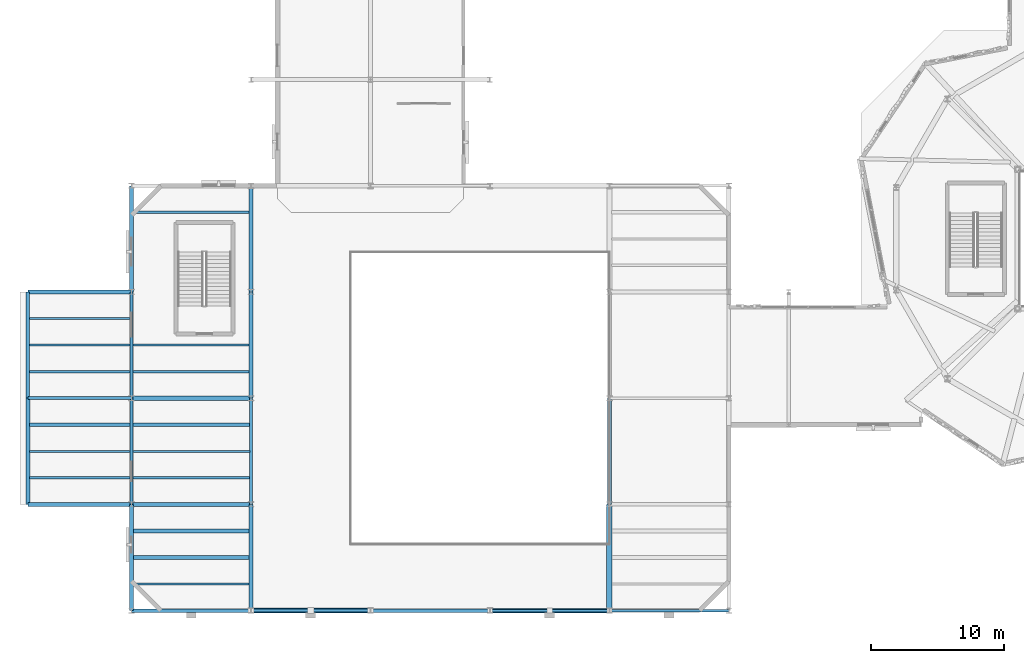
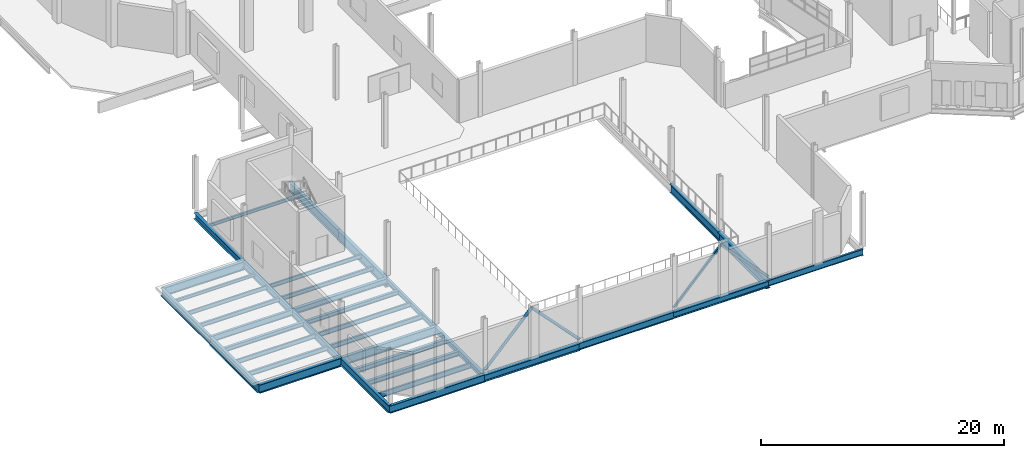
# One storey, part 14 of 142: 37 beams, 4 members.
"""IFC4 building model written with IfcOpenShell, lengths in metres."""

from ifc_helpers import new_model, si_unit, direction, frame, origin, origin_2d, place, context, subcontext, project, spatial, hollow_rectangle, hollow_circle, i_section, extrude, material, material_profile, profile_set, type_object, element, save


model = new_model("IFC4")

# Units and contexts
model_context = context("Model", 3, precision=1e-05, world=origin(), true_north=direction((0.0, 1.0)))
body_context = subcontext(model_context, "Body", "Model", "MODEL_VIEW")
ifc_project = project(units=[si_unit("LENGTHUNIT", "METRE"), si_unit("AREAUNIT", "SQUARE_METRE"), si_unit("VOLUMEUNIT", "CUBIC_METRE"), si_unit("PLANEANGLEUNIT", "RADIAN"), si_unit("MASSUNIT", "GRAM", prefix="KILO"), si_unit("THERMODYNAMICTEMPERATUREUNIT", "KELVIN"), si_unit("POWERUNIT", "WATT")], contexts=[model_context])

# Site, building, storey
site_placement = place(None, origin())
site = spatial("IfcSite", under=ifc_project, at=site_placement, CompositionType="ELEMENT")
building_placement = place(site_placement, origin())
building = spatial("IfcBuilding", under=site, at=building_placement, Name="Zelmaris Science Centre", CompositionType="ELEMENT")
storey_placement = place(building_placement, frame((0.0, 0.0, 5.39990234375)))
storey = spatial("IfcBuildingStorey", under=building, at=storey_placement, Name="L01", CompositionType="ELEMENT", Elevation=5.39990234375)

# Beams
ifc_material_1 = material(Name="Steel ASTM A992 Grade 50", Category="steel")
ifc_material_profile_1 = material_profile(ifc_material_1, i_section(OverallWidth=0.294921875, OverallDepth=0.85107421875, WebThickness=0.01611328125, FlangeThickness=0.02685546875, FilletRadius=0.02001953125, at=origin_2d()), Name="W33X152")
ifc_profile_set_1 = profile_set([ifc_material_profile_1], Name="Steel ASTM A992 Grade 50")
beam_type_1 = type_object("IfcBeamType", Name="Beam G-06 W33X152", PredefinedType="BEAM", material=ifc_profile_set_1)
beam_1_placement = place(storey_placement, frame((1.199951171875, 16.0, -0.705322265625), z_axis=(1.0, 0.0, 0.0), x_axis=(0.0, 1.0, 0.0)))
element("IfcBeam", 1, at=beam_1_placement, inside=storey, type_object=beam_type_1, Name="L01 East-west girder 343", PredefinedType="BEAM", context=body_context, shape_type="SweptSolid", body=[
    extrude(i_section(OverallWidth=0.294921875, OverallDepth=0.85107421875, WebThickness=0.01611328125, FlangeThickness=0.02685546875, FilletRadius=0.02001953125, at=origin_2d()), origin(), (0.0, 0.0, 1.0), 7.800048828125),
])
ifc_material_profile_2 = material_profile(ifc_material_1, i_section(OverallWidth=0.2919921875, OverallDepth=0.841064453125, WebThickness=0.0146484375, FlangeThickness=0.021728515625, FilletRadius=0.02001953125, at=origin_2d()), Name="W33X130")
ifc_profile_set_2 = profile_set([ifc_material_profile_2], Name="Steel ASTM A992 Grade 50")
beam_type_2 = type_object("IfcBeamType", Name="Beam G-07 W33X130", PredefinedType="BEAM", material=ifc_profile_set_2)
beam_2_placement = place(storey_placement, frame((1.199951171875, 16.0, -0.700439453125), z_axis=(0.0, 1.0, 0.0), x_axis=(-1.0, 0.0, 0.0)))
element("IfcBeam", 2, at=beam_2_placement, inside=storey, type_object=beam_type_2, Name="L01 North-south girder 251", PredefinedType="BEAM", context=body_context, shape_type="SweptSolid", body=[
    extrude(i_section(OverallWidth=0.2919921875, OverallDepth=0.841064453125, WebThickness=0.0146484375, FlangeThickness=0.021728515625, FilletRadius=0.02001953125, at=origin_2d()), origin(), (0.0, 0.0, 1.0), 8.0),
])
beam_3_placement = place(storey_placement, frame((9.0, 16.0, -0.700439453125), z_axis=(1.0, 0.0, 0.0), x_axis=(0.0, 1.0, 0.0)))
element("IfcBeam", 3, at=beam_3_placement, inside=storey, type_object=beam_type_2, Name="L01 East-west girder 344", PredefinedType="BEAM", context=body_context, shape_type="SweptSolid", body=[
    extrude(i_section(OverallWidth=0.2919921875, OverallDepth=0.841064453125, WebThickness=0.0146484375, FlangeThickness=0.021728515625, FilletRadius=0.02001953125, at=origin_2d()), origin(), (0.0, 0.0, 1.0), 9.0),
])
ifc_material_profile_3 = material_profile(ifc_material_1, i_section(OverallWidth=0.26708984375, OverallDepth=0.77001953125, WebThickness=0.015625, FlangeThickness=0.025390625, FilletRadius=0.01904296875, at=origin_2d()), Name="W30X132")
ifc_profile_set_3 = profile_set([ifc_material_profile_3], Name="Steel ASTM A992 Grade 50")
beam_type_3 = type_object("IfcBeamType", Name="Beam G-09 W30X132", PredefinedType="BEAM", material=ifc_profile_set_3)
beam_4_placement = place(storey_placement, frame((1.199951171875, 24.0, -0.664794921875), z_axis=(0.0, 1.0, 0.0), x_axis=(-1.0, 0.0, 0.0)))
element("IfcBeam", 4, at=beam_4_placement, inside=storey, type_object=beam_type_3, Name="L01 North-south girder 252", PredefinedType="BEAM", context=body_context, shape_type="SweptSolid", body=[
    extrude(i_section(OverallWidth=0.26708984375, OverallDepth=0.77001953125, WebThickness=0.015625, FlangeThickness=0.025390625, FilletRadius=0.01904296875, at=origin_2d()), origin(), (0.0, 0.0, 1.0), 8.0),
])
ifc_material_profile_4 = material_profile(ifc_material_1, i_section(OverallWidth=0.26708984375, OverallDepth=0.757080078125, WebThickness=0.013916015625, FlangeThickness=0.019287109375, FilletRadius=0.01904296875, at=origin_2d()), Name="W30X108")
ifc_profile_set_4 = profile_set([ifc_material_profile_4], Name="Steel ASTM A992 Grade 50")
beam_type_4 = type_object("IfcBeamType", Name="Beam G-10 W30X108", PredefinedType="BEAM", material=ifc_profile_set_4)
beam_5_placement = place(storey_placement, frame((9.0, 8.0, -0.658447265625), z_axis=(0.0, 1.0, 0.0), x_axis=(-1.0, 0.0, 0.0)))
element("IfcBeam", 5, at=beam_5_placement, inside=storey, type_object=beam_type_4, Name="L01 North-south girder 253", PredefinedType="BEAM", context=body_context, shape_type="SweptSolid", body=[
    extrude(i_section(OverallWidth=0.26708984375, OverallDepth=0.757080078125, WebThickness=0.013916015625, FlangeThickness=0.019287109375, FilletRadius=0.01904296875, at=origin_2d()), origin(), (0.0, 0.0, 1.0), 8.0),
])
ifc_material_profile_5 = material_profile(ifc_material_1, i_section(OverallWidth=0.257080078125, OverallDepth=0.693115234375, WebThickness=0.014404296875, FlangeThickness=0.023681640625, FilletRadius=0.01806640625, at=origin_2d()), Name="W27X114")
ifc_profile_set_5 = profile_set([ifc_material_profile_5], Name="Steel ASTM A992 Grade 50")
beam_type_5 = type_object("IfcBeamType", Name="Beam G-12 W27X114", PredefinedType="BEAM", material=ifc_profile_set_5)
beam_6_placement = place(storey_placement, frame((9.0, 16.0, -0.62646484375), z_axis=(0.0, 1.0, 0.0), x_axis=(-1.0, 0.0, 0.0)))
element("IfcBeam", 6, at=beam_6_placement, inside=storey, type_object=beam_type_5, Name="L01 North-south girder 254", PredefinedType="BEAM", context=body_context, shape_type="SweptSolid", body=[
    extrude(i_section(OverallWidth=0.257080078125, OverallDepth=0.693115234375, WebThickness=0.014404296875, FlangeThickness=0.023681640625, FilletRadius=0.01806640625, at=origin_2d()), origin(), (0.0, 0.0, 1.0), 8.0),
])
ifc_material_profile_6 = material_profile(ifc_material_1, i_section(OverallWidth=0.25390625, OverallDepth=0.68310546875, WebThickness=0.012451171875, FlangeThickness=0.018798828125, FilletRadius=0.01806640625, at=origin_2d()), Name="W27X94")
ifc_profile_set_6 = profile_set([ifc_material_profile_6], Name="Steel ASTM A992 Grade 50")
beam_type_6 = type_object("IfcBeamType", Name="Beam G-13 W27X94", PredefinedType="BEAM", material=ifc_profile_set_6)
beam_7_placement = place(storey_placement, frame((9.0, 24.0, -0.621337890625), z_axis=(0.0, 1.0, 0.0), x_axis=(-1.0, 0.0, 0.0)))
element("IfcBeam", 7, at=beam_7_placement, inside=storey, type_object=beam_type_6, Name="L01 North-south girder 255", PredefinedType="BEAM", context=body_context, shape_type="SweptSolid", body=[
    extrude(i_section(OverallWidth=0.25390625, OverallDepth=0.68310546875, WebThickness=0.012451171875, FlangeThickness=0.018798828125, FilletRadius=0.01806640625, at=origin_2d()), origin(), (0.0, 0.0, 1.0), 8.0),
])
ifc_material_profile_7 = material_profile(ifc_material_1, i_section(OverallWidth=0.324951171875, OverallDepth=0.612060546875, WebThickness=0.0126953125, FlangeThickness=0.01904296875, FilletRadius=0.014892578125, at=origin_2d()), Name="W24X104")
ifc_profile_set_7 = profile_set([ifc_material_profile_7], Name="Steel ASTM A992 Grade 50")
beam_type_7 = type_object("IfcBeamType", Name="Beam G-15 W24X104", PredefinedType="BEAM", material=ifc_profile_set_7)
beam_8_placement = place(storey_placement, frame((9.0, 32.0, -0.5859375), z_axis=(0.0, 1.0, 0.0), x_axis=(-1.0, 0.0, 0.0)))
element("IfcBeam", 8, at=beam_8_placement, inside=storey, type_object=beam_type_7, Name="L01 North-south girder 256", PredefinedType="BEAM", context=body_context, shape_type="SweptSolid", body=[
    extrude(i_section(OverallWidth=0.324951171875, OverallDepth=0.612060546875, WebThickness=0.0126953125, FlangeThickness=0.01904296875, FilletRadius=0.014892578125, at=origin_2d()), origin(), (0.0, 0.0, 1.0), 8.0),
])
ifc_material_profile_8 = material_profile(ifc_material_1, i_section(OverallWidth=0.22900390625, OverallDepth=0.60205078125, WebThickness=0.010498046875, FlangeThickness=0.014892578125, FilletRadius=0.014892578125, at=origin_2d()), Name="W24X68")
ifc_profile_set_8 = profile_set([ifc_material_profile_8], Name="Steel ASTM A992 Grade 50")
beam_type_8 = type_object("IfcBeamType", Name="Beam G-17 W24X68", PredefinedType="BEAM", material=ifc_profile_set_8)
beam_9_placement = place(storey_placement, frame((1.199951171875, 24.0, -0.580810546875), z_axis=(1.0, 0.0, 0.0), x_axis=(0.0, 1.0, 0.0)))
element("IfcBeam", 9, at=beam_9_placement, inside=storey, type_object=beam_type_8, Name="L01 East-west girder 351", PredefinedType="BEAM", context=body_context, shape_type="SweptSolid", body=[
    extrude(i_section(OverallWidth=0.22900390625, OverallDepth=0.60205078125, WebThickness=0.010498046875, FlangeThickness=0.014892578125, FilletRadius=0.014892578125, at=origin_2d()), origin(), (0.0, 0.0, 1.0), 7.800048828125),
])
ifc_material_profile_9 = material_profile(ifc_material_1, i_section(OverallWidth=0.31201171875, OverallDepth=0.5439453125, WebThickness=0.0126953125, FlangeThickness=0.020263671875, FilletRadius=0.013916015625, at=origin_2d()), Name="W21X101")
ifc_profile_set_9 = profile_set([ifc_material_profile_9], Name="Steel ASTM A992 Grade 50")
beam_type_9 = type_object("IfcBeamType", Name="Beam G-18 W21X101", PredefinedType="BEAM", material=ifc_profile_set_9)
beam_10_placement = place(storey_placement, frame((18.0, 8.0, -0.552001953125), z_axis=(0.0, 1.0, 0.0), x_axis=(-1.0, 0.0, 0.0)))
element("IfcBeam", 10, at=beam_10_placement, inside=storey, type_object=beam_type_9, Name="L01 North-south girder 259", PredefinedType="BEAM", context=body_context, shape_type="SweptSolid", body=[
    extrude(i_section(OverallWidth=0.31201171875, OverallDepth=0.5439453125, WebThickness=0.0126953125, FlangeThickness=0.020263671875, FilletRadius=0.013916015625, at=origin_2d()), origin(), (0.0, 0.0, 1.0), 8.0),
])
beam_11_placement = place(storey_placement, frame((9.0, 24.0, -0.552001953125), z_axis=(1.0, 0.0, 0.0), x_axis=(0.0, 1.0, 0.0)))
element("IfcBeam", 11, at=beam_11_placement, inside=storey, type_object=beam_type_9, Name="L01 East-west girder 352", PredefinedType="BEAM", context=body_context, shape_type="SweptSolid", body=[
    extrude(i_section(OverallWidth=0.31201171875, OverallDepth=0.5439453125, WebThickness=0.0126953125, FlangeThickness=0.020263671875, FilletRadius=0.013916015625, at=origin_2d()), origin(), (0.0, 0.0, 1.0), 9.0),
])
ifc_material_profile_10 = material_profile(ifc_material_1, i_section(OverallWidth=0.2109375, OverallDepth=0.5380859375, WebThickness=0.01171875, FlangeThickness=0.018798828125, FilletRadius=0.013916015625, at=origin_2d()), Name="W21X73")
ifc_profile_set_10 = profile_set([ifc_material_profile_10], Name="Steel ASTM A992 Grade 50")
beam_type_10 = type_object("IfcBeamType", Name="Beam G-19 W21X73", PredefinedType="BEAM", material=ifc_profile_set_10)
beam_12_placement = place(storey_placement, frame((18.0, 16.0, -0.548828125), z_axis=(0.0, 1.0, 0.0), x_axis=(-1.0, 0.0, 0.0)))
element("IfcBeam", 12, at=beam_12_placement, inside=storey, type_object=beam_type_10, Name="L01 North-south girder 260", PredefinedType="BEAM", context=body_context, shape_type="SweptSolid", body=[
    extrude(i_section(OverallWidth=0.2109375, OverallDepth=0.5380859375, WebThickness=0.01171875, FlangeThickness=0.018798828125, FilletRadius=0.013916015625, at=origin_2d()), origin(), (0.0, 0.0, 1.0), 8.0),
])
ifc_material_profile_11 = material_profile(ifc_material_1, i_section(OverallWidth=0.300048828125, OverallDepth=0.990966796875, WebThickness=0.0166015625, FlangeThickness=0.030517578125, FilletRadius=0.02490234375, at=origin_2d()), Name="W40X183")
ifc_profile_set_11 = profile_set([ifc_material_profile_11], Name="Steel ASTM A992 Grade 50")
beam_type_11 = type_object("IfcBeamType", Name="Beam G-24 W40X183", PredefinedType="BEAM", material=ifc_profile_set_11)
beam_13_placement = place(storey_placement, frame((18.0, 24.0, -0.775390625), z_axis=(0.0, 1.0, 0.0), x_axis=(-1.0, 0.0, 0.0)))
element("IfcBeam", 13, at=beam_13_placement, inside=storey, type_object=beam_type_11, Name="L01 North-south girder 261", PredefinedType="BEAM", context=body_context, shape_type="SweptSolid", body=[
    extrude(i_section(OverallWidth=0.300048828125, OverallDepth=0.990966796875, WebThickness=0.0166015625, FlangeThickness=0.030517578125, FilletRadius=0.02490234375, at=origin_2d()), origin(), (0.0, 0.0, 1.0), 8.0),
])
ifc_material_profile_12 = material_profile(ifc_material_1, i_section(OverallWidth=0.31005859375, OverallDepth=0.931884765625, WebThickness=0.02099609375, FlangeThickness=0.034423828125, FilletRadius=0.02392578125, at=origin_2d()), Name="W36X210")
ifc_profile_set_12 = profile_set([ifc_material_profile_12], Name="Steel ASTM A992 Grade 50")
beam_type_12 = type_object("IfcBeamType", Name="Beam G-25 W36X210", PredefinedType="BEAM", material=ifc_profile_set_12)
beam_14_placement = place(storey_placement, frame((18.0, 32.0, -0.745849609375), z_axis=(0.0, 1.0, 0.0), x_axis=(-1.0, 0.0, 0.0)))
element("IfcBeam", 14, at=beam_14_placement, inside=storey, type_object=beam_type_12, Name="L01 North-south girder 262", PredefinedType="BEAM", context=body_context, shape_type="SweptSolid", body=[
    extrude(i_section(OverallWidth=0.31005859375, OverallDepth=0.931884765625, WebThickness=0.02099609375, FlangeThickness=0.034423828125, FilletRadius=0.02392578125, at=origin_2d()), origin(), (0.0, 0.0, 1.0), 8.0),
])
ifc_material_profile_13 = material_profile(ifc_material_1, i_section(OverallWidth=0.404052734375, OverallDepth=0.861083984375, WebThickness=0.019775390625, FlangeThickness=0.032470703125, FilletRadius=0.02001953125, at=origin_2d()), Name="W33X221")
ifc_profile_set_13 = profile_set([ifc_material_profile_13], Name="Steel ASTM A992 Grade 50")
beam_type_13 = type_object("IfcBeamType", Name="Beam G-28 W33X221", PredefinedType="BEAM", material=ifc_profile_set_13)
beam_15_placement = place(storey_placement, frame((45.0, 8.0, -0.71044921875), z_axis=(0.0, 1.0, 0.0), x_axis=(-1.0, 0.0, 0.0)))
element("IfcBeam", 15, at=beam_15_placement, inside=storey, type_object=beam_type_13, Name="L01 North-south girder 265", PredefinedType="BEAM", context=body_context, shape_type="SweptSolid", body=[
    extrude(i_section(OverallWidth=0.404052734375, OverallDepth=0.861083984375, WebThickness=0.019775390625, FlangeThickness=0.032470703125, FilletRadius=0.02001953125, at=origin_2d()), origin(), (0.0, 0.0, 1.0), 8.0),
])
ifc_material_profile_14 = material_profile(ifc_material_1, i_section(OverallWidth=0.2919921875, OverallDepth=0.85888671875, WebThickness=0.01708984375, FlangeThickness=0.031005859375, FilletRadius=0.02001953125, at=origin_2d()), Name="W33X169")
ifc_profile_set_14 = profile_set([ifc_material_profile_14], Name="Steel ASTM A992 Grade 50")
beam_type_14 = type_object("IfcBeamType", Name="Beam G-29 W33X169", PredefinedType="BEAM", material=ifc_profile_set_14)
beam_16_placement = place(storey_placement, frame((45.0, 16.0, -0.70947265625), z_axis=(0.0, 1.0, 0.0), x_axis=(-1.0, 0.0, 0.0)))
element("IfcBeam", 16, at=beam_16_placement, inside=storey, type_object=beam_type_14, Name="L01 North-south girder 266", PredefinedType="BEAM", context=body_context, shape_type="SweptSolid", body=[
    extrude(i_section(OverallWidth=0.2919921875, OverallDepth=0.85888671875, WebThickness=0.01708984375, FlangeThickness=0.031005859375, FilletRadius=0.02001953125, at=origin_2d()), origin(), (0.0, 0.0, 1.0), 8.0),
])
beam_17_placement = place(storey_placement, frame((1.199951171875, 32.0, -0.70947265625), z_axis=(1.0, 0.0, 0.0), x_axis=(0.0, 1.0, 0.0)))
element("IfcBeam", 17, at=beam_17_placement, inside=storey, type_object=beam_type_14, Name="L01 East-west girder 359", PredefinedType="BEAM", context=body_context, shape_type="SweptSolid", body=[
    extrude(i_section(OverallWidth=0.2919921875, OverallDepth=0.85888671875, WebThickness=0.01708984375, FlangeThickness=0.031005859375, FilletRadius=0.02001953125, at=origin_2d()), origin(), (0.0, 0.0, 1.0), 7.800048828125),
])
ifc_material_profile_15 = material_profile(ifc_material_1, i_section(OverallWidth=0.26708984375, OverallDepth=0.75390625, WebThickness=0.01318359375, FlangeThickness=0.01708984375, FilletRadius=0.01904296875, at=origin_2d()), Name="W30X99")
ifc_profile_set_15 = profile_set([ifc_material_profile_15], Name="Steel ASTM A992 Grade 50")
beam_type_15 = type_object("IfcBeamType", Name="Beam G-34 W30X99", PredefinedType="BEAM", material=ifc_profile_set_15)
beam_18_placement = place(storey_placement, frame((9.0, 8.0, -0.656982421875), z_axis=(1.0, 0.0, 0.0), x_axis=(0.0, 1.0, 0.0)))
element("IfcBeam", 18, at=beam_18_placement, inside=storey, type_object=beam_type_15, Name="L01 East-west girder 333", PredefinedType="BEAM", context=body_context, shape_type="SweptSolid", body=[
    extrude(i_section(OverallWidth=0.26708984375, OverallDepth=0.75390625, WebThickness=0.01318359375, FlangeThickness=0.01708984375, FilletRadius=0.01904296875, at=origin_2d()), origin(), (0.0, 0.0, 1.0), 9.0),
])
ifc_material_profile_16 = material_profile(ifc_material_1, i_section(OverallWidth=0.35595703125, OverallDepth=0.700927734375, WebThickness=0.016845703125, FlangeThickness=0.02734375, FilletRadius=0.01806640625, at=origin_2d()), Name="W27X161")
ifc_profile_set_16 = profile_set([ifc_material_profile_16], Name="Steel ASTM A992 Grade 50")
beam_type_16 = type_object("IfcBeamType", Name="Beam G-35 W27X161", PredefinedType="BEAM", material=ifc_profile_set_16)
beam_19_placement = place(storey_placement, frame((18.0, 8.0, -0.63037109375), z_axis=(1.0, 0.0, 0.0), x_axis=(0.0, 1.0, 0.0)))
element("IfcBeam", 19, at=beam_19_placement, inside=storey, type_object=beam_type_16, Name="L01 East-west girder 334", PredefinedType="BEAM", context=body_context, shape_type="SweptSolid", body=[
    extrude(i_section(OverallWidth=0.35595703125, OverallDepth=0.700927734375, WebThickness=0.016845703125, FlangeThickness=0.02734375, FilletRadius=0.01806640625, at=origin_2d()), origin(), (0.0, 0.0, 1.0), 9.0),
])
ifc_material_profile_17 = material_profile(ifc_material_1, i_section(OverallWidth=0.25390625, OverallDepth=0.677978515625, WebThickness=0.01171875, FlangeThickness=0.016357421875, FilletRadius=0.01806640625, at=origin_2d()), Name="W27X84")
ifc_profile_set_17 = profile_set([ifc_material_profile_17], Name="Steel ASTM A992 Grade 50")
beam_type_17 = type_object("IfcBeamType", Name="Beam G-36 W27X84", PredefinedType="BEAM", material=ifc_profile_set_17)
beam_20_placement = place(storey_placement, frame((27.0, 8.0, -0.618896484375), z_axis=(1.0, 0.0, 0.0), x_axis=(0.0, 1.0, 0.0)))
element("IfcBeam", 20, at=beam_20_placement, inside=storey, type_object=beam_type_17, Name="L01 East-west girder 335", PredefinedType="BEAM", context=body_context, shape_type="SweptSolid", body=[
    extrude(i_section(OverallWidth=0.25390625, OverallDepth=0.677978515625, WebThickness=0.01171875, FlangeThickness=0.016357421875, FilletRadius=0.01806640625, at=origin_2d()), origin(), (0.0, 0.0, 1.0), 9.0),
])
ifc_material_profile_18 = material_profile(ifc_material_1, i_section(OverallWidth=0.327880859375, OverallDepth=0.626953125, WebThickness=0.0166015625, FlangeThickness=0.027587890625, FilletRadius=0.014892578125, at=origin_2d()), Name="W24X146")
ifc_profile_set_18 = profile_set([ifc_material_profile_18], Name="Steel ASTM A992 Grade 50")
beam_type_18 = type_object("IfcBeamType", Name="Beam G-37 W24X146", PredefinedType="BEAM", material=ifc_profile_set_18)
beam_21_placement = place(storey_placement, frame((36.0, 8.0, -0.593505859375), z_axis=(1.0, 0.0, 0.0), x_axis=(0.0, 1.0, 0.0)))
element("IfcBeam", 21, at=beam_21_placement, inside=storey, type_object=beam_type_18, Name="L01 East-west girder 336", PredefinedType="BEAM", context=body_context, shape_type="SweptSolid", body=[
    extrude(i_section(OverallWidth=0.327880859375, OverallDepth=0.626953125, WebThickness=0.0166015625, FlangeThickness=0.027587890625, FilletRadius=0.014892578125, at=origin_2d()), origin(), (0.0, 0.0, 1.0), 9.0),
])
ifc_material_profile_19 = material_profile(ifc_material_1, i_section(OverallWidth=0.177978515625, OverallDepth=0.59912109375, WebThickness=0.010009765625, FlangeThickness=0.0126953125, FilletRadius=0.014892578125, at=origin_2d()), Name="W24X55")
ifc_profile_set_19 = profile_set([ifc_material_profile_19], Name="Steel ASTM A992 Grade 50")
beam_type_19 = type_object("IfcBeamType", Name="Beam G-38 W24X55", PredefinedType="BEAM", material=ifc_profile_set_19)
beam_22_placement = place(storey_placement, frame((45.0, 8.0, -0.579345703125), z_axis=(1.0, 0.0, 0.0), x_axis=(0.0, 1.0, 0.0)))
element("IfcBeam", 22, at=beam_22_placement, inside=storey, type_object=beam_type_19, Name="L01 East-west girder 337", PredefinedType="BEAM", context=body_context, shape_type="SweptSolid", body=[
    extrude(i_section(OverallWidth=0.177978515625, OverallDepth=0.59912109375, WebThickness=0.010009765625, FlangeThickness=0.0126953125, FilletRadius=0.014892578125, at=origin_2d()), origin(), (0.0, 0.0, 1.0), 9.0),
])
ifc_material_profile_20 = material_profile(ifc_material_1, i_section(OverallWidth=0.16796875, OverallDepth=0.532958984375, WebThickness=0.01025390625, FlangeThickness=0.0166015625, FilletRadius=0.013916015625, at=origin_2d()), Name="W21X57")
ifc_profile_set_20 = profile_set([ifc_material_profile_20], Name="Steel ASTM A992 Grade 50")
beam_type_20 = type_object("IfcBeamType", Name="Beam J-01 W21X57", PredefinedType="JOIST", material=ifc_profile_set_20)
beam_23_placement = place(storey_placement, frame((9.118408203125, 10.0, -0.54638671875), z_axis=(1.0, 0.0, 0.0), x_axis=(0.0, 1.0, 0.0)))
element("IfcBeam", 23, at=beam_23_placement, inside=storey, type_object=beam_type_20, Name="L01 Composite floor joist 126", PredefinedType="JOIST", context=body_context, shape_type="SweptSolid", body=[
    extrude(i_section(OverallWidth=0.16796875, OverallDepth=0.532958984375, WebThickness=0.01025390625, FlangeThickness=0.0166015625, FilletRadius=0.013916015625, at=origin_2d()), origin(), (0.0, 0.0, 1.0), 8.740478515625),
])
ifc_material_profile_21 = material_profile(ifc_material_1, i_section(OverallWidth=0.281982421875, OverallDepth=0.471923828125, WebThickness=0.013671875, FlangeThickness=0.022216796875, FilletRadius=0.012939453125, at=origin_2d()), Name="W18X97")
ifc_profile_set_21 = profile_set([ifc_material_profile_21], Name="Steel ASTM A992 Grade 50")
beam_type_21 = type_object("IfcBeamType", Name="Beam J-02 W18X97", PredefinedType="JOIST", material=ifc_profile_set_21)
beam_24_placement = place(storey_placement, frame((9.118408203125, 12.0, -0.515869140625), z_axis=(1.0, 0.0, 0.0), x_axis=(0.0, 1.0, 0.0)))
element("IfcBeam", 24, at=beam_24_placement, inside=storey, type_object=beam_type_21, Name="L01 Composite floor joist 127", PredefinedType="JOIST", context=body_context, shape_type="SweptSolid", body=[
    extrude(i_section(OverallWidth=0.281982421875, OverallDepth=0.471923828125, WebThickness=0.013671875, FlangeThickness=0.022216796875, FilletRadius=0.012939453125, at=origin_2d()), origin(), (0.0, 0.0, 1.0), 8.740478515625),
])
ifc_material_profile_22 = material_profile(ifc_material_1, i_section(OverallWidth=0.279052734375, OverallDepth=0.4619140625, WebThickness=0.0107421875, FlangeThickness=0.017333984375, FilletRadius=0.012939453125, at=origin_2d()), Name="W18X76")
ifc_profile_set_22 = profile_set([ifc_material_profile_22], Name="Steel ASTM A992 Grade 50")
beam_type_22 = type_object("IfcBeamType", Name="Beam J-03 W18X76", PredefinedType="JOIST", material=ifc_profile_set_22)
beam_25_placement = place(storey_placement, frame((9.118408203125, 14.0, -0.510986328125), z_axis=(1.0, 0.0, 0.0), x_axis=(0.0, 1.0, 0.0)))
element("IfcBeam", 25, at=beam_25_placement, inside=storey, type_object=beam_type_22, Name="L01 Composite floor joist 128", PredefinedType="JOIST", context=body_context, shape_type="SweptSolid", body=[
    extrude(i_section(OverallWidth=0.279052734375, OverallDepth=0.4619140625, WebThickness=0.0107421875, FlangeThickness=0.017333984375, FilletRadius=0.012939453125, at=origin_2d()), origin(), (0.0, 0.0, 1.0), 8.740478515625),
])
ifc_material_profile_23 = material_profile(ifc_material_1, i_section(OverallWidth=0.19091796875, OverallDepth=0.4599609375, WebThickness=0.010009765625, FlangeThickness=0.01611328125, FilletRadius=0.012939453125, at=origin_2d()), Name="W18X55")
ifc_profile_set_23 = profile_set([ifc_material_profile_23], Name="Steel ASTM A992 Grade 50")
beam_type_23 = type_object("IfcBeamType", Name="Beam J-04 W18X55", PredefinedType="JOIST", material=ifc_profile_set_23)
beam_26_placement = place(storey_placement, frame((1.3310546875, 18.0, -0.510009765625), z_axis=(1.0, 0.0, 0.0), x_axis=(0.0, 1.0, 0.0)))
element("IfcBeam", 26, at=beam_26_placement, inside=storey, type_object=beam_type_23, Name="L01 Composite floor joist 120", PredefinedType="JOIST", context=body_context, shape_type="SweptSolid", body=[
    extrude(i_section(OverallWidth=0.19091796875, OverallDepth=0.4599609375, WebThickness=0.010009765625, FlangeThickness=0.01611328125, FilletRadius=0.012939453125, at=origin_2d()), origin(), (0.0, 0.0, 1.0), 7.555419921875),
])
beam_27_placement = place(storey_placement, frame((9.113525390625, 18.0, -0.510009765625), z_axis=(1.0, 0.0, 0.0), x_axis=(0.0, 1.0, 0.0)))
element("IfcBeam", 27, at=beam_27_placement, inside=storey, type_object=beam_type_23, Name="L01 Composite floor joist 129", PredefinedType="JOIST", context=body_context, shape_type="SweptSolid", body=[
    extrude(i_section(OverallWidth=0.19091796875, OverallDepth=0.4599609375, WebThickness=0.010009765625, FlangeThickness=0.01611328125, FilletRadius=0.012939453125, at=origin_2d()), origin(), (0.0, 0.0, 1.0), 8.7958984375),
])
ifc_material_profile_24 = material_profile(ifc_material_1, i_section(OverallWidth=0.152099609375, OverallDepth=0.455078125, WebThickness=0.008056640625, FlangeThickness=0.01318359375, FilletRadius=0.012939453125, at=origin_2d()), Name="W18X40")
ifc_profile_set_24 = profile_set([ifc_material_profile_24], Name="Steel ASTM A992 Grade 50")
beam_type_24 = type_object("IfcBeamType", Name="Beam J-05 W18X40", PredefinedType="JOIST", material=ifc_profile_set_24)
beam_28_placement = place(storey_placement, frame((1.3310546875, 20.0, -0.50732421875), z_axis=(1.0, 0.0, 0.0), x_axis=(0.0, 1.0, 0.0)))
element("IfcBeam", 28, at=beam_28_placement, inside=storey, type_object=beam_type_24, Name="L01 Composite floor joist 121", PredefinedType="JOIST", context=body_context, shape_type="SweptSolid", body=[
    extrude(i_section(OverallWidth=0.152099609375, OverallDepth=0.455078125, WebThickness=0.008056640625, FlangeThickness=0.01318359375, FilletRadius=0.012939453125, at=origin_2d()), origin(), (0.0, 0.0, 1.0), 7.555419921875),
])
beam_29_placement = place(storey_placement, frame((9.113525390625, 20.0, -0.50732421875), z_axis=(1.0, 0.0, 0.0), x_axis=(0.0, 1.0, 0.0)))
element("IfcBeam", 29, at=beam_29_placement, inside=storey, type_object=beam_type_24, Name="L01 Composite floor joist 130", PredefinedType="JOIST", context=body_context, shape_type="SweptSolid", body=[
    extrude(i_section(OverallWidth=0.152099609375, OverallDepth=0.455078125, WebThickness=0.008056640625, FlangeThickness=0.01318359375, FilletRadius=0.012939453125, at=origin_2d()), origin(), (0.0, 0.0, 1.0), 8.7958984375),
])
ifc_material_profile_25 = material_profile(ifc_material_1, i_section(OverallWidth=0.260009765625, OverallDepth=0.4140625, WebThickness=0.010009765625, FlangeThickness=0.016845703125, FilletRadius=0.011962890625, at=origin_2d()), Name="W16X67")
ifc_profile_set_25 = profile_set([ifc_material_profile_25], Name="Steel ASTM A992 Grade 50")
beam_type_25 = type_object("IfcBeamType", Name="Beam J-06 W16X67", PredefinedType="JOIST", material=ifc_profile_set_25)
beam_30_placement = place(storey_placement, frame((1.3310546875, 22.0, -0.48681640625), z_axis=(1.0, 0.0, 0.0), x_axis=(0.0, 1.0, 0.0)))
element("IfcBeam", 30, at=beam_30_placement, inside=storey, type_object=beam_type_25, Name="L01 Composite floor joist 122", PredefinedType="JOIST", context=body_context, shape_type="SweptSolid", body=[
    extrude(i_section(OverallWidth=0.260009765625, OverallDepth=0.4140625, WebThickness=0.010009765625, FlangeThickness=0.016845703125, FilletRadius=0.011962890625, at=origin_2d()), origin(), (0.0, 0.0, 1.0), 7.555419921875),
])
beam_31_placement = place(storey_placement, frame((9.113525390625, 22.0, -0.48681640625), z_axis=(1.0, 0.0, 0.0), x_axis=(0.0, 1.0, 0.0)))
element("IfcBeam", 31, at=beam_31_placement, inside=storey, type_object=beam_type_25, Name="L01 Composite floor joist 131", PredefinedType="JOIST", context=body_context, shape_type="SweptSolid", body=[
    extrude(i_section(OverallWidth=0.260009765625, OverallDepth=0.4140625, WebThickness=0.010009765625, FlangeThickness=0.016845703125, FilletRadius=0.011962890625, at=origin_2d()), origin(), (0.0, 0.0, 1.0), 8.7958984375),
])
ifc_material_profile_26 = material_profile(ifc_material_1, i_section(OverallWidth=0.177978515625, OverallDepth=0.408935546875, WebThickness=0.0087890625, FlangeThickness=0.014404296875, FilletRadius=0.011962890625, at=origin_2d()), Name="W16X45")
ifc_profile_set_26 = profile_set([ifc_material_profile_26], Name="Steel ASTM A992 Grade 50")
beam_type_26 = type_object("IfcBeamType", Name="Beam J-07 W16X45", PredefinedType="JOIST", material=ifc_profile_set_26)
beam_32_placement = place(storey_placement, frame((1.318603515625, 26.0, -0.484375), z_axis=(1.0, 0.0, 0.0), x_axis=(0.0, 1.0, 0.0)))
element("IfcBeam", 32, at=beam_32_placement, inside=storey, type_object=beam_type_26, Name="L01 Composite floor joist 123", PredefinedType="JOIST", context=body_context, shape_type="SweptSolid", body=[
    extrude(i_section(OverallWidth=0.177978515625, OverallDepth=0.408935546875, WebThickness=0.0087890625, FlangeThickness=0.014404296875, FilletRadius=0.011962890625, at=origin_2d()), origin(), (0.0, 0.0, 1.0), 7.5693359375),
])
beam_33_placement = place(storey_placement, frame((9.112060546875, 26.0, -0.484375), z_axis=(1.0, 0.0, 0.0), x_axis=(0.0, 1.0, 0.0)))
element("IfcBeam", 33, at=beam_33_placement, inside=storey, type_object=beam_type_26, Name="L01 Composite floor joist 132", PredefinedType="JOIST", context=body_context, shape_type="SweptSolid", body=[
    extrude(i_section(OverallWidth=0.177978515625, OverallDepth=0.408935546875, WebThickness=0.0087890625, FlangeThickness=0.014404296875, FilletRadius=0.011962890625, at=origin_2d()), origin(), (0.0, 0.0, 1.0), 8.7529296875),
])
ifc_material_profile_27 = material_profile(ifc_material_1, i_section(OverallWidth=0.139892578125, OverallDepth=0.404052734375, WebThickness=0.007080078125, FlangeThickness=0.01123046875, FilletRadius=0.011962890625, at=origin_2d()), Name="W16X31")
ifc_profile_set_27 = profile_set([ifc_material_profile_27], Name="Steel ASTM A992 Grade 50")
beam_type_27 = type_object("IfcBeamType", Name="Beam J-08 W16X31", PredefinedType="JOIST", material=ifc_profile_set_27)
beam_34_placement = place(storey_placement, frame((1.318603515625, 28.0, -0.48193359375), z_axis=(1.0, 0.0, 0.0), x_axis=(0.0, 1.0, 0.0)))
element("IfcBeam", 34, at=beam_34_placement, inside=storey, type_object=beam_type_27, Name="L01 Composite floor joist 124", PredefinedType="JOIST", context=body_context, shape_type="SweptSolid", body=[
    extrude(i_section(OverallWidth=0.139892578125, OverallDepth=0.404052734375, WebThickness=0.007080078125, FlangeThickness=0.01123046875, FilletRadius=0.011962890625, at=origin_2d()), origin(), (0.0, 0.0, 1.0), 7.5693359375),
])
beam_35_placement = place(storey_placement, frame((9.112060546875, 28.0, -0.48193359375), z_axis=(1.0, 0.0, 0.0), x_axis=(0.0, 1.0, 0.0)))
element("IfcBeam", 35, at=beam_35_placement, inside=storey, type_object=beam_type_27, Name="L01 Composite floor joist 133", PredefinedType="JOIST", context=body_context, shape_type="SweptSolid", body=[
    extrude(i_section(OverallWidth=0.139892578125, OverallDepth=0.404052734375, WebThickness=0.007080078125, FlangeThickness=0.01123046875, FilletRadius=0.011962890625, at=origin_2d()), origin(), (0.0, 0.0, 1.0), 8.7529296875),
])
ifc_material_profile_28 = material_profile(ifc_material_1, i_section(OverallWidth=0.1669921875, OverallDepth=0.318115234375, WebThickness=0.007568359375, FlangeThickness=0.01318359375, FilletRadius=0.011962890625, at=origin_2d()), Name="W12X35")
ifc_profile_set_28 = profile_set([ifc_material_profile_28], Name="Steel ASTM A992 Grade 50")
beam_type_28 = type_object("IfcBeamType", Name="Beam J-09 W12X35", PredefinedType="JOIST", material=ifc_profile_set_28)
beam_36_placement = place(storey_placement, frame((1.318603515625, 30.0, -0.43896484375), z_axis=(1.0, 0.0, 0.0), x_axis=(0.0, 1.0, 0.0)))
element("IfcBeam", 36, at=beam_36_placement, inside=storey, type_object=beam_type_28, Name="L01 Composite floor joist 125", PredefinedType="JOIST", context=body_context, shape_type="SweptSolid", body=[
    extrude(i_section(OverallWidth=0.1669921875, OverallDepth=0.318115234375, WebThickness=0.007568359375, FlangeThickness=0.01318359375, FilletRadius=0.011962890625, at=origin_2d()), origin(), (0.0, 0.0, 1.0), 7.5693359375),
])
beam_37_placement = place(storey_placement, frame((9.1474609375, 38.0, -0.43896484375), z_axis=(1.0, 0.0, 0.0), x_axis=(0.0, 1.0, 0.0)))
element("IfcBeam", 37, at=beam_37_placement, inside=storey, type_object=beam_type_28, Name="L01 Composite floor joist 134", PredefinedType="JOIST", context=body_context, shape_type="SweptSolid", body=[
    extrude(i_section(OverallWidth=0.1669921875, OverallDepth=0.318115234375, WebThickness=0.007568359375, FlangeThickness=0.01318359375, FilletRadius=0.011962890625, at=origin_2d()), origin(), (0.0, 0.0, 1.0), 8.712646484375),
])

# Members
ifc_material_2 = material(Name="Steel ASTM A500 Grade C", Category="steel")
ifc_material_profile_29 = material_profile(ifc_material_2, hollow_rectangle(XDim=0.203125, YDim=0.203125, WallThickness=0.01171875, InnerFilletRadius=0.01171875, OuterFilletRadius=0.023681640625, at=origin_2d()), Name="HSS203X203X13")
ifc_profile_set_29 = profile_set([ifc_material_profile_29], Name="Steel ASTM A500 Grade C")
member_type_1 = type_object("IfcMemberType", Name="Structural Brace BR-02 HSS203X203X13", PredefinedType="BRACE", material=ifc_profile_set_29)
for number, where, z_axis, x_axis, name in (
    (38, (36.0, 8.0, 0.080078125), (0.688508905493, 0.0, 0.725227886293), (0.0, 1.0, 0.0), "L01 Chevron brace BRF-V3S2 left"),
    (39, (45.0, 8.0, 0.080078125), (-0.688508905493, 0.0, 0.725227886293), (0.0, -1.0, 0.0), "L01 Chevron brace BRF-V3S2 right"),
):
    element("IfcMember", number, at=place(storey_placement, frame(where, z_axis=z_axis, x_axis=x_axis)), inside=storey, type_object=member_type_1, Name=name, PredefinedType="BRACE", context=body_context, shape_type="SweptSolid", body=[
        extrude(hollow_rectangle(XDim=0.203125, YDim=0.203125, WallThickness=0.01171875, InnerFilletRadius=0.01171875, OuterFilletRadius=0.023681640625, at=origin_2d()), origin(), (0.0, 0.0, 1.0), 6.535888671875),
    ])
ifc_material_profile_30 = material_profile(ifc_material_2, hollow_circle(Radius=0.136474609375, WallThickness=0.0087890625, at=origin_2d()), Name="CHS273X10")
ifc_profile_set_30 = profile_set([ifc_material_profile_30], Name="Steel ASTM A500 Grade C")
member_type_2 = type_object("IfcMemberType", Name="Structural Brace BR-05 CHS273X10", PredefinedType="BRACE", material=ifc_profile_set_30)
for number, where, z_axis, x_axis, name in (
    (40, (18.0, 8.0, 0.080078125), (0.688508905493, 0.0, 0.725227886293), (0.0, 1.0, 0.0), "L01 Chevron brace BRF-V3S1 left"),
    (41, (27.0, 8.0, 0.080078125), (-0.688508905493, 0.0, 0.725227886293), (0.0, -1.0, 0.0), "L01 Chevron brace BRF-V3S1 right"),
):
    element("IfcMember", number, at=place(storey_placement, frame(where, z_axis=z_axis, x_axis=x_axis)), inside=storey, type_object=member_type_2, Name=name, PredefinedType="BRACE", context=body_context, shape_type="SweptSolid", body=[
        extrude(hollow_circle(Radius=0.136474609375, WallThickness=0.0087890625, at=origin_2d()), origin(), (0.0, 0.0, 1.0), 6.535888671875),
    ])

save(model, "model.ifc")
